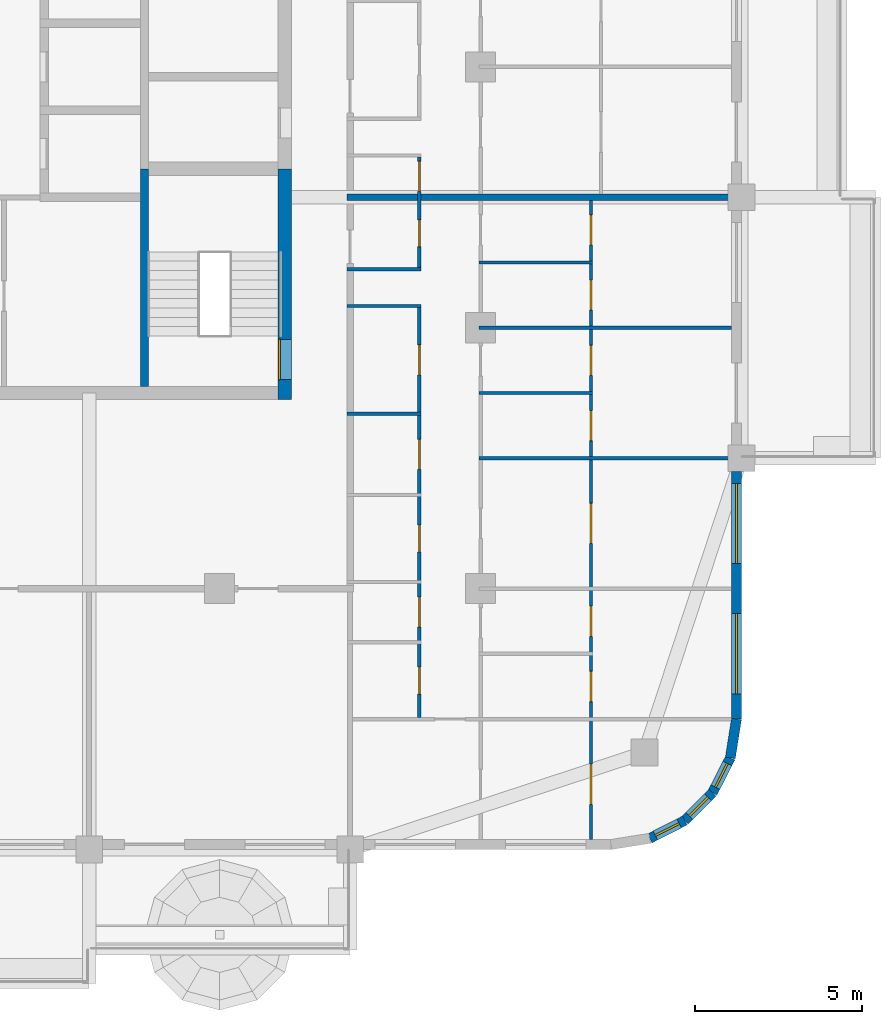
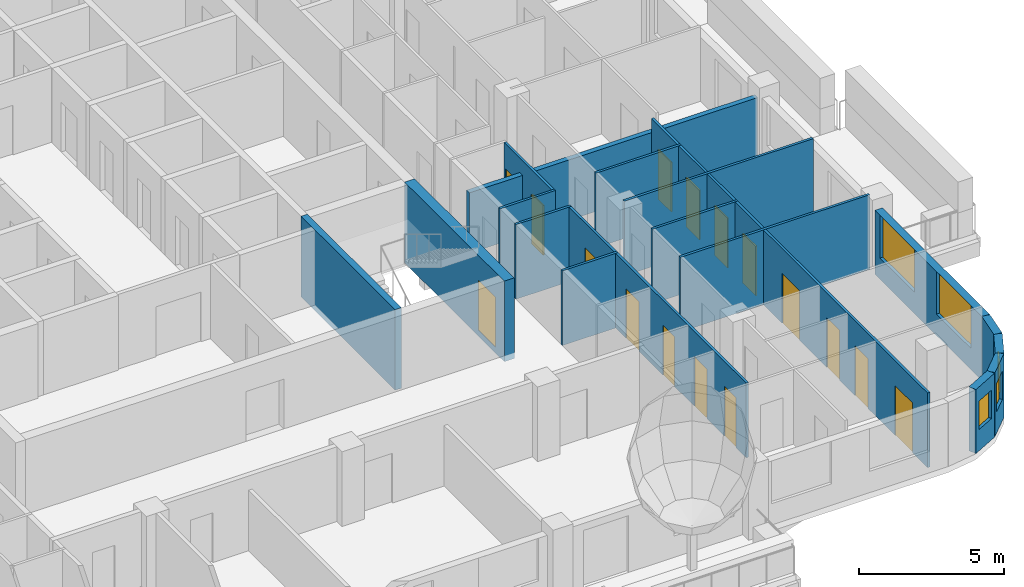
# One storey, part 6 of 17: 18 walls, 16 doors, 5 windows, 21 openings.
"""IFC4 building model written with IfcOpenShell, lengths in metres."""

from ifc_helpers import new_model, si_unit, direction, frame, frame_2d, origin, place, context, subcontext, project, spatial, rectangle, extrude, material, layer, layer_set, type_object, element, fill, save


model = new_model("IFC4")

# Units and contexts
model_context = context("Model", 3, precision=1e-05, world=origin(), true_north=direction((0.0, 1.0)))
body_context = subcontext(model_context, "Body", "Model", "MODEL_VIEW")
ifc_project = project(units=[si_unit("LENGTHUNIT", "METRE"), si_unit("AREAUNIT", "SQUARE_METRE"), si_unit("VOLUMEUNIT", "CUBIC_METRE"), si_unit("PLANEANGLEUNIT", "RADIAN"), si_unit("MASSUNIT", "GRAM", prefix="KILO")], contexts=[model_context])

# Site, building, storey
site_placement = place(None, origin())
site = spatial("IfcSite", under=ifc_project, at=site_placement, CompositionType="ELEMENT")
building_placement = place(site_placement, origin())
building = spatial("IfcBuilding", under=site, at=building_placement, Name="Ludao Terraces", CompositionType="ELEMENT")
storey_placement = place(building_placement, frame((0.0, 0.0, 210.89990234375)))
storey = spatial("IfcBuildingStorey", under=building, at=storey_placement, Name="L57", CompositionType="ELEMENT", Elevation=210.89990234375)

# Wall, opening, door
ifc_material_1 = material(Name="Concrete C50", Category="concrete")
ifc_layer_1 = layer(ifc_material_1, 0.39990234375)
ifc_layer_set_1 = layer_set([ifc_layer_1], Name="Core wall 400 C50")
wall_type_1 = type_object("IfcWallType", Name="Core wall 400 C50", PredefinedType="SOLIDWALL", material=ifc_layer_set_1)
wall_1_placement = place(storey_placement, frame((94.75, 55.050048828125, -0.25), z_axis=(0.0, 0.0, 1.0), x_axis=(0.0, 1.0, 0.0)))
wall_1 = element("IfcWall", 1, at=wall_1_placement, inside=storey, type_object=wall_type_1, Name="Core wall L57 outer-E-S3", PredefinedType="SOLIDWALL", context=body_context, shape_type="SweptSolid", body=[
    extrude(rectangle(XDim=6.89990234375, YDim=0.39990234375, at=frame_2d((3.449951171875, 0.0))), origin(), (0.0, 0.0, 1.0), 3.400146484375),
])
opening_1_placement = place(wall_1_placement, frame((0.60009765625, 0.0, 0.25)))
opening_1 = element("IfcOpeningElement", 2, at=opening_1_placement, cuts=wall_1, Name="Opening R20-037", PredefinedType="OPENING", context=body_context, shape_type="SweptSolid", body=[
    extrude(rectangle(XDim=1.199951171875, YDim=2.10009765625, at=frame_2d((0.60009765625, 1.050048828125))), frame((0.0, 0.2099609375, 0.0), z_axis=(0.0, -1.0, 0.0), x_axis=(1.0, 0.0, 0.0)), (0.0, 0.0, 1.0), 0.419921875),
])
ifc_material_2 = material(Name="Steel Q235", Category="steel")
door_type_1 = type_object("IfcDoorType", Name="INT Stair door 1200", OperationType="DOUBLE_DOOR_SINGLE_SWING", PredefinedType="DOOR", material=ifc_material_2)
door_1_placement = place(opening_1_placement, origin())
door_1 = element("IfcDoor", 3, at=door_1_placement, inside=storey, type_object=door_type_1, Name="DOOR 037", OperationType="DOUBLE_DOOR_SINGLE_SWING", OverallHeight=2.10009765625, OverallWidth=1.199951171875, PredefinedType="DOOR", context=body_context, shape_type="SweptSolid", body=[
    extrude(rectangle(XDim=1.199951171875, YDim=2.10009765625, at=frame_2d((0.60009765625, 1.050048828125))), frame((0.0, 0.18505859375, 0.0), z_axis=(0.0, -1.0, 0.0), x_axis=(1.0, 0.0, 0.0)), (0.0, 0.0, 1.0), 0.050048828125),
])
fill(opening_1, door_1)

# Wall, openings, windows
ifc_material_3 = material(Name="Granite cladding", Category="masonry")
ifc_layer_2 = layer(ifc_material_3, 0.0400390625, Category="stone")
ifc_material_4 = material(Name="Mineral wool")
ifc_layer_3 = layer(ifc_material_4, 0.06005859375)
ifc_material_5 = material(Name="Concrete C40", Category="concrete")
ifc_layer_4 = layer(ifc_material_5, 0.199951171875, Category="concrete")
ifc_layer_set_2 = layer_set([ifc_layer_2, ifc_layer_3, ifc_layer_4], Name="ENV Stone-clad wall 300")
wall_type_2 = type_object("IfcWallType", Name="ENV Stone-clad wall 300", PredefinedType="SOLIDWALL", material=ifc_layer_set_2)
wall_2_placement = place(storey_placement, frame((108.25, 45.5, 0.0), z_axis=(0.0, 0.0, 1.0), x_axis=(0.0, 1.0, 0.0)))
wall_2 = element("IfcWall", 4, at=wall_2_placement, inside=storey, type_object=wall_type_2, Name="EW-L57-E1", PredefinedType="SOLIDWALL", context=body_context, shape_type="SweptSolid", body=[
    extrude(rectangle(XDim=7.39990234375, YDim=0.300048828125, at=frame_2d((3.699951171875, 0.0))), origin(), (0.0, 0.0, 1.0), 2.7001953125),
])
opening_2_placement = place(wall_2_placement, frame((0.75, 0.0, 0.89990234375)))
opening_2 = element("IfcOpeningElement", 5, at=opening_2_placement, cuts=wall_2, Name="Opening W1", PredefinedType="OPENING", context=body_context, shape_type="SweptSolid", body=[
    extrude(rectangle(XDim=2.39990234375, YDim=1.800048828125, at=frame_2d((1.199951171875, 0.89990234375))), frame((0.0, 0.16015625, 0.0), z_axis=(0.0, -1.0, 0.0), x_axis=(1.0, 0.0, 0.0)), (0.0, 0.0, 1.0), 0.320068359375),
])
opening_3_placement = place(wall_2_placement, frame((4.64990234375, 0.0, 0.89990234375)))
opening_3 = element("IfcOpeningElement", 6, at=opening_3_placement, cuts=wall_2, Name="Opening W1", PredefinedType="OPENING", context=body_context, shape_type="SweptSolid", body=[
    extrude(rectangle(XDim=2.39990234375, YDim=1.800048828125, at=frame_2d((1.199951171875, 0.89990234375))), frame((0.0, 0.16015625, 0.0), z_axis=(0.0, -1.0, 0.0), x_axis=(1.0, 0.0, 0.0)), (0.0, 0.0, 1.0), 0.320068359375),
])
ifc_material_6 = material(Name="Clear glass in aluminium frame", Category="aluminium")
ifc_layer_5 = layer(ifc_material_6, 0.06005859375)
ifc_layer_set_3 = layer_set([ifc_layer_5], Name="ENV Window W1 2400x1800")
window_type_1 = type_object("IfcWindowType", Name="ENV Window W1 2400x1800", PartitioningType="DOUBLE_PANEL_VERTICAL", PredefinedType="WINDOW", material=ifc_layer_set_3)
window_1_placement = place(opening_2_placement, origin())
window_1 = element("IfcWindow", 7, at=window_1_placement, inside=storey, type_object=window_type_1, Name="W-L57-E1-1", OverallHeight=1.800048828125, OverallWidth=2.39990234375, PartitioningType="DOUBLE_PANEL_VERTICAL", PredefinedType="WINDOW", context=body_context, shape_type="SweptSolid", body=[
    extrude(rectangle(XDim=2.39990234375, YDim=1.800048828125, at=frame_2d((1.199951171875, 0.89990234375))), frame((0.0, 0.030029296875, 0.0), z_axis=(0.0, -1.0, 0.0), x_axis=(1.0, 0.0, 0.0)), (0.0, 0.0, 1.0), 0.06005859375),
])
fill(opening_2, window_1)
window_2_placement = place(opening_3_placement, origin())
window_2 = element("IfcWindow", 8, at=window_2_placement, inside=storey, type_object=window_type_1, Name="W-L57-E1-2", OverallHeight=1.800048828125, OverallWidth=2.39990234375, PartitioningType="DOUBLE_PANEL_VERTICAL", PredefinedType="WINDOW", context=body_context, shape_type="SweptSolid", body=[
    extrude(rectangle(XDim=2.39990234375, YDim=1.800048828125, at=frame_2d((1.199951171875, 0.89990234375))), frame((0.0, 0.030029296875, 0.0), z_axis=(0.0, -1.0, 0.0), x_axis=(1.0, 0.0, 0.0)), (0.0, 0.0, 1.0), 0.06005859375),
])
fill(opening_3, window_2)

# Wall, opening, window
wall_3_placement = place(storey_placement, frame((105.65869140625, 41.93359375, 0.0), z_axis=(0.0, 0.0, 1.0), x_axis=(0.890988677504, 0.454025524128, 0.0)))
wall_3 = element("IfcWall", 9, at=wall_3_placement, inside=storey, type_object=wall_type_2, Name="EW-L57-SE2", PredefinedType="SOLIDWALL", context=body_context, shape_type="SweptSolid", body=[
    extrude(rectangle(XDim=1.17333984375, YDim=0.300048828125, at=frame_2d((0.586669921875, 0.0))), origin(), (0.0, 0.0, 1.0), 2.7001953125),
])
opening_4_placement = place(wall_3_placement, frame((0.1865234375, 0.0, 0.89990234375)))
opening_4 = element("IfcOpeningElement", 10, at=opening_4_placement, cuts=wall_3, Name="Opening W3", PredefinedType="OPENING", context=body_context, shape_type="SweptSolid", body=[
    extrude(rectangle(XDim=0.800048828125, YDim=1.199951171875, at=frame_2d((0.39990234375, 0.60009765625))), frame((0.0, 0.16015625, 0.0), z_axis=(0.0, -1.0, 0.0), x_axis=(1.0, 0.0, 0.0)), (0.0, 0.0, 1.0), 0.320068359375),
])
ifc_layer_6 = layer(ifc_material_6, 0.06005859375)
ifc_layer_set_4 = layer_set([ifc_layer_6], Name="ENV Window W3 800x1200")
window_type_2 = type_object("IfcWindowType", Name="ENV Window W3 800x1200", PartitioningType="SINGLE_PANEL", PredefinedType="WINDOW", material=ifc_layer_set_4)
window_3_placement = place(opening_4_placement, origin())
window_3 = element("IfcWindow", 11, at=window_3_placement, inside=storey, type_object=window_type_2, Name="W-L57-SE2", OverallHeight=1.199951171875, OverallWidth=0.800048828125, PartitioningType="SINGLE_PANEL", PredefinedType="WINDOW", context=body_context, shape_type="SweptSolid", body=[
    extrude(rectangle(XDim=0.800048828125, YDim=1.199951171875, at=frame_2d((0.39990234375, 0.60009765625))), frame((0.0, 0.030029296875, 0.0), z_axis=(0.0, -1.0, 0.0), x_axis=(1.0, 0.0, 0.0)), (0.0, 0.0, 1.0), 0.06005859375),
])
fill(opening_4, window_3)

wall_4_placement = place(storey_placement, frame((106.7041015625, 42.46630859375, 0.0), z_axis=(0.0, 0.0, 1.0), x_axis=(0.707106781187, 0.707106781187, 0.0)))
wall_4 = element("IfcWall", 12, at=wall_4_placement, inside=storey, type_object=wall_type_2, Name="EW-L57-SE3", PredefinedType="SOLIDWALL", context=body_context, shape_type="SweptSolid", body=[
    extrude(rectangle(XDim=1.173095703125, YDim=0.300048828125, at=frame_2d((0.58642578125, 0.0))), origin(), (0.0, 0.0, 1.0), 2.7001953125),
])
opening_5_placement = place(wall_4_placement, frame((0.1865234375, 0.0, 0.89990234375)))
opening_5 = element("IfcOpeningElement", 13, at=opening_5_placement, cuts=wall_4, Name="Opening W3", PredefinedType="OPENING", context=body_context, shape_type="SweptSolid", body=[
    extrude(rectangle(XDim=0.800048828125, YDim=1.199951171875, at=frame_2d((0.39990234375, 0.60009765625))), frame((0.0, 0.16015625, 0.0), z_axis=(0.0, -1.0, 0.0), x_axis=(1.0, 0.0, 0.0)), (0.0, 0.0, 1.0), 0.320068359375),
])
window_4_placement = place(opening_5_placement, origin())
window_4 = element("IfcWindow", 14, at=window_4_placement, inside=storey, type_object=window_type_2, Name="W-L57-SE3", OverallHeight=1.199951171875, OverallWidth=0.800048828125, PartitioningType="SINGLE_PANEL", PredefinedType="WINDOW", context=body_context, shape_type="SweptSolid", body=[
    extrude(rectangle(XDim=0.800048828125, YDim=1.199951171875, at=frame_2d((0.39990234375, 0.60009765625))), frame((0.0, 0.030029296875, 0.0), z_axis=(0.0, -1.0, 0.0), x_axis=(1.0, 0.0, 0.0)), (0.0, 0.0, 1.0), 0.06005859375),
])
fill(opening_5, window_4)

wall_5_placement = place(storey_placement, frame((107.53369140625, 43.2958984375, 0.0), z_axis=(0.0, 0.0, 1.0), x_axis=(0.454025524128, 0.890988677504, 0.0)))
wall_5 = element("IfcWall", 15, at=wall_5_placement, inside=storey, type_object=wall_type_2, Name="EW-L57-SE4", PredefinedType="SOLIDWALL", context=body_context, shape_type="SweptSolid", body=[
    extrude(rectangle(XDim=1.17333984375, YDim=0.300048828125, at=frame_2d((0.586669921875, 0.0))), origin(), (0.0, 0.0, 1.0), 2.7001953125),
])
opening_6_placement = place(wall_5_placement, frame((0.1865234375, 0.0, 0.89990234375)))
opening_6 = element("IfcOpeningElement", 16, at=opening_6_placement, cuts=wall_5, Name="Opening W3", PredefinedType="OPENING", context=body_context, shape_type="SweptSolid", body=[
    extrude(rectangle(XDim=0.800048828125, YDim=1.199951171875, at=frame_2d((0.39990234375, 0.60009765625))), frame((0.0, 0.16015625, 0.0), z_axis=(0.0, -1.0, 0.0), x_axis=(1.0, 0.0, 0.0)), (0.0, 0.0, 1.0), 0.320068359375),
])
window_5_placement = place(opening_6_placement, origin())
window_5 = element("IfcWindow", 17, at=window_5_placement, inside=storey, type_object=window_type_2, Name="W-L57-SE4", OverallHeight=1.199951171875, OverallWidth=0.800048828125, PartitioningType="SINGLE_PANEL", PredefinedType="WINDOW", context=body_context, shape_type="SweptSolid", body=[
    extrude(rectangle(XDim=0.800048828125, YDim=1.199951171875, at=frame_2d((0.39990234375, 0.60009765625))), frame((0.0, 0.030029296875, 0.0), z_axis=(0.0, -1.0, 0.0), x_axis=(1.0, 0.0, 0.0)), (0.0, 0.0, 1.0), 0.06005859375),
])
fill(opening_6, window_5)

# Walls
wall_6_placement = place(storey_placement, frame((108.06640625, 44.34130859375, 0.0), z_axis=(0.0, 0.0, 1.0), x_axis=(0.156496880861, 0.987678452879, 0.0)))
element("IfcWall", 18, at=wall_6_placement, inside=storey, type_object=wall_type_2, Name="EW-L57-SE5", PredefinedType="SOLIDWALL", context=body_context, shape_type="SweptSolid", body=[
    extrude(rectangle(XDim=1.173095703125, YDim=0.300048828125, at=frame_2d((0.58642578125, 0.0))), origin(), (0.0, 0.0, 1.0), 2.7001953125),
])
ifc_material_7 = material(Name="Gypsum plasterboard", Category="gypsum")
ifc_layer_7 = layer(ifc_material_7, 0.012451171875, Category="gypsum")
ifc_layer_8 = layer(ifc_material_4, 0.06005859375, Name="insulation")
ifc_layer_9 = layer(ifc_material_2, 0.014892578125, Name="stud")
ifc_layer_10 = layer(ifc_material_7, 0.012451171875, Category="gypsum")
ifc_layer_set_5 = layer_set([ifc_layer_7, ifc_layer_8, ifc_layer_9, ifc_layer_10], Name="INT Partition 100")
wall_type_3 = type_object("IfcWallType", Name="INT Partition 100", PredefinedType="PARTITIONING", material=ifc_layer_set_5)
wall_7_placement = place(storey_placement, frame((100.550048828125, 53.300048828125, 0.0), z_axis=(0.0, 0.0, 1.0), x_axis=(1.0, 0.0, 0.0)))
element("IfcWall", 19, at=wall_7_placement, inside=storey, type_object=wall_type_3, Name="PW-L57-PW013", PredefinedType="PARTITIONING", context=body_context, shape_type="SweptSolid", body=[
    extrude(rectangle(XDim=7.550048828125, YDim=0.10009765625, at=frame_2d((3.77490234375, 0.0))), origin(), (0.0, 0.0, 1.0), 3.150146484375),
])
wall_8_placement = place(storey_placement, frame((96.60009765625, 54.6298828125, 0.0), z_axis=(0.0, 0.0, 1.0), x_axis=(1.0, 0.0, 0.0)))
element("IfcWall", 20, at=wall_8_placement, inside=storey, type_object=wall_type_3, Name="PW-L57-PW015", PredefinedType="PARTITIONING", context=body_context, shape_type="SweptSolid", body=[
    extrude(rectangle(XDim=2.219970703125, YDim=0.10009765625, at=frame_2d((1.10986328125, 0.0))), origin(), (0.0, 0.0, 1.0), 3.150146484375),
])
wall_9_placement = place(storey_placement, frame((100.550048828125, 55.25, 0.0), z_axis=(0.0, 0.0, 1.0), x_axis=(1.0, 0.0, 0.0)))
element("IfcWall", 21, at=wall_9_placement, inside=storey, type_object=wall_type_3, Name="PW-L57-PW017", PredefinedType="PARTITIONING", context=body_context, shape_type="SweptSolid", body=[
    extrude(rectangle(XDim=3.400146484375, YDim=0.10009765625, at=frame_2d((1.7001953125, 0.0))), origin(), (0.0, 0.0, 1.0), 3.150146484375),
])
wall_10_placement = place(storey_placement, frame((100.550048828125, 57.199951171875, 0.0), z_axis=(0.0, 0.0, 1.0), x_axis=(1.0, 0.0, 0.0)))
element("IfcWall", 22, at=wall_10_placement, inside=storey, type_object=wall_type_3, Name="PW-L57-PW020", PredefinedType="PARTITIONING", context=body_context, shape_type="SweptSolid", body=[
    extrude(rectangle(XDim=7.550048828125, YDim=0.10009765625, at=frame_2d((3.77490234375, 0.0))), origin(), (0.0, 0.0, 1.0), 3.150146484375),
])
for number, where, z_axis, x_axis, name in (
    (23, (96.60009765625, 57.85009765625, 0.0), (0.0, 0.0, 1.0), (1.0, 0.0, 0.0), "PW-L57-PW021"),
    (24, (96.60009765625, 58.949951171875, 0.0), (0.0, 0.0, 1.0), (1.0, 0.0, 0.0), "PW-L57-PW023"),
):
    element("IfcWall", number, at=place(storey_placement, frame(where, z_axis=z_axis, x_axis=x_axis)), inside=storey, type_object=wall_type_3, Name=name, PredefinedType="PARTITIONING", context=body_context, shape_type="SweptSolid", body=[
        extrude(rectangle(XDim=2.219970703125, YDim=0.10009765625, at=frame_2d((1.10986328125, 0.0))), origin(), (0.0, 0.0, 1.0), 3.150146484375),
    ])
wall_11_placement = place(storey_placement, frame((100.550048828125, 59.14990234375, 0.0), z_axis=(0.0, 0.0, 1.0), x_axis=(1.0, 0.0, 0.0)))
element("IfcWall", 25, at=wall_11_placement, inside=storey, type_object=wall_type_3, Name="PW-L57-PW025", PredefinedType="PARTITIONING", context=body_context, shape_type="SweptSolid", body=[
    extrude(rectangle(XDim=3.400146484375, YDim=0.10009765625, at=frame_2d((1.7001953125, 0.0))), origin(), (0.0, 0.0, 1.0), 3.150146484375),
])

# Wall, openings, doors
wall_12_placement = place(storey_placement, frame((98.77001953125, 45.550048828125, 0.0), z_axis=(0.0, 0.0, 1.0), x_axis=(0.0, 1.0, 0.0)))
wall_12 = element("IfcWall", 26, at=wall_12_placement, inside=storey, type_object=wall_type_3, Name="PW-L57-PW092", PredefinedType="PARTITIONING", context=body_context, shape_type="SweptSolid", body=[
    extrude(rectangle(XDim=12.25, YDim=0.10009765625, at=frame_2d((6.125, 0.0))), origin(), (0.0, 0.0, 1.0), 3.150146484375),
])
opening_7_placement = place(wall_12_placement, frame((0.699951171875, 0.0, 0.0)))
opening_7 = element("IfcOpeningElement", 27, at=opening_7_placement, cuts=wall_12, Name="Opening R20-008", PredefinedType="OPENING", context=body_context, shape_type="SweptSolid", body=[
    extrude(rectangle(XDim=0.800048828125, YDim=2.10009765625, at=frame_2d((0.39990234375, 1.050048828125))), frame((0.0, 0.06005859375, 0.0), z_axis=(0.0, -1.0, 0.0), x_axis=(1.0, 0.0, 0.0)), (0.0, 0.0, 1.0), 0.1201171875),
])
opening_8_placement = place(wall_12_placement, frame((2.699951171875, 0.0, 0.0)))
opening_8 = element("IfcOpeningElement", 28, at=opening_8_placement, cuts=wall_12, Name="Opening R20-014", PredefinedType="OPENING", context=body_context, shape_type="SweptSolid", body=[
    extrude(rectangle(XDim=0.89990234375, YDim=2.10009765625, at=frame_2d((0.449951171875, 1.050048828125))), frame((0.0, 0.06005859375, 0.0), z_axis=(0.0, -1.0, 0.0), x_axis=(1.0, 0.0, 0.0)), (0.0, 0.0, 1.0), 0.1201171875),
])
opening_9_placement = place(wall_12_placement, frame((4.949951171875, 0.0, 0.0)))
opening_9 = element("IfcOpeningElement", 29, at=opening_9_placement, cuts=wall_12, Name="Opening R20-021", PredefinedType="OPENING", context=body_context, shape_type="SweptSolid", body=[
    extrude(rectangle(XDim=0.800048828125, YDim=2.10009765625, at=frame_2d((0.39990234375, 1.050048828125))), frame((0.0, 0.06005859375, 0.0), z_axis=(0.0, -1.0, 0.0), x_axis=(1.0, 0.0, 0.0)), (0.0, 0.0, 1.0), 0.1201171875),
])
opening_10_placement = place(wall_12_placement, frame((7.4150390625, 0.0, 0.0)))
opening_10 = element("IfcOpeningElement", 30, at=opening_10_placement, cuts=wall_12, Name="Opening R20-028", PredefinedType="OPENING", context=body_context, shape_type="SweptSolid", body=[
    extrude(rectangle(XDim=0.89990234375, YDim=2.10009765625, at=frame_2d((0.449951171875, 1.050048828125))), frame((0.0, 0.06005859375, 0.0), z_axis=(0.0, -1.0, 0.0), x_axis=(1.0, 0.0, 0.0)), (0.0, 0.0, 1.0), 0.1201171875),
])
opening_11_placement = place(wall_12_placement, frame((10.239990234375, 0.0, 0.0)))
opening_11 = element("IfcOpeningElement", 31, at=opening_11_placement, cuts=wall_12, Name="Opening R20-036", PredefinedType="OPENING", context=body_context, shape_type="SweptSolid", body=[
    extrude(rectangle(XDim=0.89990234375, YDim=2.10009765625, at=frame_2d((0.449951171875, 1.050048828125))), frame((0.0, 0.06005859375, 0.0), z_axis=(0.0, -1.0, 0.0), x_axis=(1.0, 0.0, 0.0)), (0.0, 0.0, 1.0), 0.1201171875),
])
ifc_material_8 = material(Name="Timber door leaf", Category="wood")
door_type_2 = type_object("IfcDoorType", Name="INT Bathroom door 900", OperationType="SINGLE_SWING_LEFT", PredefinedType="DOOR", material=ifc_material_8)
door_2_placement = place(opening_8_placement, origin())
door_2 = element("IfcDoor", 32, at=door_2_placement, inside=storey, type_object=door_type_2, Name="DOOR 014", OperationType="SINGLE_SWING_RIGHT", OverallHeight=2.10009765625, OverallWidth=0.89990234375, PredefinedType="DOOR", context=body_context, shape_type="SweptSolid", body=[
    extrude(rectangle(XDim=0.89990234375, YDim=2.10009765625, at=frame_2d((0.449951171875, 1.050048828125))), frame((0.0, 0.02490234375, 0.0), z_axis=(0.0, -1.0, 0.0), x_axis=(1.0, 0.0, 0.0)), (0.0, 0.0, 1.0), 0.050048828125),
])
fill(opening_8, door_2)
door_3_placement = place(opening_10_placement, origin())
door_3 = element("IfcDoor", 33, at=door_3_placement, inside=storey, type_object=door_type_2, Name="DOOR 028", OperationType="SINGLE_SWING_LEFT", OverallHeight=2.10009765625, OverallWidth=0.89990234375, PredefinedType="DOOR", context=body_context, shape_type="SweptSolid", body=[
    extrude(rectangle(XDim=0.89990234375, YDim=2.10009765625, at=frame_2d((0.449951171875, 1.050048828125))), frame((0.0, 0.02490234375, 0.0), z_axis=(0.0, -1.0, 0.0), x_axis=(1.0, 0.0, 0.0)), (0.0, 0.0, 1.0), 0.050048828125),
])
fill(opening_10, door_3)
door_type_3 = type_object("IfcDoorType", Name="INT Room door 900", OperationType="SINGLE_SWING_LEFT", PredefinedType="DOOR", material=ifc_material_8)
door_4_placement = place(opening_11_placement, origin())
door_4 = element("IfcDoor", 34, at=door_4_placement, inside=storey, type_object=door_type_3, Name="DOOR 036", OperationType="SINGLE_SWING_LEFT", OverallHeight=2.10009765625, OverallWidth=0.89990234375, PredefinedType="DOOR", context=body_context, shape_type="SweptSolid", body=[
    extrude(rectangle(XDim=0.89990234375, YDim=2.10009765625, at=frame_2d((0.449951171875, 1.050048828125))), frame((0.0, 0.02490234375, 0.0), z_axis=(0.0, -1.0, 0.0), x_axis=(1.0, 0.0, 0.0)), (0.0, 0.0, 1.0), 0.050048828125),
])
fill(opening_11, door_4)
door_type_4 = type_object("IfcDoorType", Name="INT Store door 800", OperationType="SINGLE_SWING_LEFT", PredefinedType="DOOR", material=ifc_material_8)
door_5_placement = place(opening_7_placement, origin())
door_5 = element("IfcDoor", 35, at=door_5_placement, inside=storey, type_object=door_type_4, Name="DOOR 008", OperationType="SINGLE_SWING_RIGHT", OverallHeight=2.10009765625, OverallWidth=0.800048828125, PredefinedType="DOOR", context=body_context, shape_type="SweptSolid", body=[
    extrude(rectangle(XDim=0.800048828125, YDim=2.10009765625, at=frame_2d((0.39990234375, 1.050048828125))), frame((0.0, 0.02490234375, 0.0), z_axis=(0.0, -1.0, 0.0), x_axis=(1.0, 0.0, 0.0)), (0.0, 0.0, 1.0), 0.050048828125),
])
fill(opening_7, door_5)
door_6_placement = place(opening_9_placement, origin())
door_6 = element("IfcDoor", 36, at=door_6_placement, inside=storey, type_object=door_type_4, Name="DOOR 021", OperationType="SINGLE_SWING_LEFT", OverallHeight=2.10009765625, OverallWidth=0.800048828125, PredefinedType="DOOR", context=body_context, shape_type="SweptSolid", body=[
    extrude(rectangle(XDim=0.800048828125, YDim=2.10009765625, at=frame_2d((0.39990234375, 1.050048828125))), frame((0.0, 0.02490234375, 0.0), z_axis=(0.0, -1.0, 0.0), x_axis=(1.0, 0.0, 0.0)), (0.0, 0.0, 1.0), 0.050048828125),
])
fill(opening_9, door_6)

wall_13_placement = place(storey_placement, frame((98.77001953125, 59.0, 0.0), z_axis=(0.0, 0.0, 1.0), x_axis=(0.0, 1.0, 0.0)))
wall_13 = element("IfcWall", 37, at=wall_13_placement, inside=storey, type_object=wall_type_3, Name="PW-L57-PW093", PredefinedType="PARTITIONING", context=body_context, shape_type="SweptSolid", body=[
    extrude(rectangle(XDim=3.300048828125, YDim=0.10009765625, at=frame_2d((1.64990234375, 0.0))), origin(), (0.0, 0.0, 1.0), 3.150146484375),
])
opening_12_placement = place(wall_13_placement, frame((0.625, 0.0, 0.0)))
opening_12 = element("IfcOpeningElement", 38, at=opening_12_placement, cuts=wall_13, Name="Opening R20-044", PredefinedType="OPENING", context=body_context, shape_type="SweptSolid", body=[
    extrude(rectangle(XDim=0.800048828125, YDim=2.10009765625, at=frame_2d((0.39990234375, 1.050048828125))), frame((0.0, 0.06005859375, 0.0), z_axis=(0.0, -1.0, 0.0), x_axis=(1.0, 0.0, 0.0)), (0.0, 0.0, 1.0), 0.1201171875),
])
opening_13_placement = place(wall_13_placement, frame((2.275146484375, 0.0, 0.0)))
opening_13 = element("IfcOpeningElement", 39, at=opening_13_placement, cuts=wall_13, Name="Opening R20-050", PredefinedType="OPENING", context=body_context, shape_type="SweptSolid", body=[
    extrude(rectangle(XDim=0.89990234375, YDim=2.10009765625, at=frame_2d((0.449951171875, 1.050048828125))), frame((0.0, 0.06005859375, 0.0), z_axis=(0.0, -1.0, 0.0), x_axis=(1.0, 0.0, 0.0)), (0.0, 0.0, 1.0), 0.1201171875),
])
door_7_placement = place(opening_13_placement, origin())
door_7 = element("IfcDoor", 40, at=door_7_placement, inside=storey, type_object=door_type_2, Name="DOOR 050", OperationType="SINGLE_SWING_LEFT", OverallHeight=2.10009765625, OverallWidth=0.89990234375, PredefinedType="DOOR", context=body_context, shape_type="SweptSolid", body=[
    extrude(rectangle(XDim=0.89990234375, YDim=2.10009765625, at=frame_2d((0.449951171875, 1.050048828125))), frame((0.0, 0.02490234375, 0.0), z_axis=(0.0, -1.0, 0.0), x_axis=(1.0, 0.0, 0.0)), (0.0, 0.0, 1.0), 0.050048828125),
])
fill(opening_13, door_7)
door_8_placement = place(opening_12_placement, origin())
door_8 = element("IfcDoor", 41, at=door_8_placement, inside=storey, type_object=door_type_4, Name="DOOR 044", OperationType="SINGLE_SWING_RIGHT", OverallHeight=2.10009765625, OverallWidth=0.800048828125, PredefinedType="DOOR", context=body_context, shape_type="SweptSolid", body=[
    extrude(rectangle(XDim=0.800048828125, YDim=2.10009765625, at=frame_2d((0.39990234375, 1.050048828125))), frame((0.0, 0.02490234375, 0.0), z_axis=(0.0, -1.0, 0.0), x_axis=(1.0, 0.0, 0.0)), (0.0, 0.0, 1.0), 0.050048828125),
])
fill(opening_12, door_8)

wall_14_placement = place(storey_placement, frame((103.89990234375, 41.900146484375, 0.0), z_axis=(0.0, 0.0, 1.0), x_axis=(0.0, 1.0, 0.0)))
wall_14 = element("IfcWall", 42, at=wall_14_placement, inside=storey, type_object=wall_type_3, Name="PW-L57-PW097", PredefinedType="PARTITIONING", context=body_context, shape_type="SweptSolid", body=[
    extrude(rectangle(XDim=19.099853515625, YDim=0.10009765625, at=frame_2d((9.5498046875, 0.0))), origin(), (0.0, 0.0, 1.0), 3.150146484375),
])
opening_14_placement = place(wall_14_placement, frame((1.050048828125, 0.0, 0.0)))
opening_14 = element("IfcOpeningElement", 43, at=opening_14_placement, cuts=wall_14, Name="Opening R20-004", PredefinedType="OPENING", context=body_context, shape_type="SweptSolid", body=[
    extrude(rectangle(XDim=1.199951171875, YDim=2.10009765625, at=frame_2d((0.60009765625, 1.050048828125))), frame((0.0, 0.06005859375, 0.0), z_axis=(0.0, -1.0, 0.0), x_axis=(1.0, 0.0, 0.0)), (0.0, 0.0, 1.0), 0.1201171875),
])
opening_15_placement = place(wall_14_placement, frame((4.125, 0.0, 0.0)))
opening_15 = element("IfcOpeningElement", 44, at=opening_15_placement, cuts=wall_14, Name="Opening R20-007", PredefinedType="OPENING", context=body_context, shape_type="SweptSolid", body=[
    extrude(rectangle(XDim=0.89990234375, YDim=2.10009765625, at=frame_2d((0.449951171875, 1.050048828125))), frame((0.0, 0.06005859375, 0.0), z_axis=(0.0, -1.0, 0.0), x_axis=(1.0, 0.0, 0.0)), (0.0, 0.0, 1.0), 0.1201171875),
])
opening_16_placement = place(wall_14_placement, frame((6.074951171875, 0.0, 0.0)))
opening_16 = element("IfcOpeningElement", 45, at=opening_16_placement, cuts=wall_14, Name="Opening R20-013", PredefinedType="OPENING", context=body_context, shape_type="SweptSolid", body=[
    extrude(rectangle(XDim=0.89990234375, YDim=2.10009765625, at=frame_2d((0.449951171875, 1.050048828125))), frame((0.0, 0.06005859375, 0.0), z_axis=(0.0, -1.0, 0.0), x_axis=(1.0, 0.0, 0.0)), (0.0, 0.0, 1.0), 0.1201171875),
])
opening_17_placement = place(wall_14_placement, frame((8.85009765625, 0.0, 0.0)))
opening_17 = element("IfcOpeningElement", 46, at=opening_17_placement, cuts=wall_14, Name="Opening R20-023", PredefinedType="OPENING", context=body_context, shape_type="SweptSolid", body=[
    extrude(rectangle(XDim=1.199951171875, YDim=2.10009765625, at=frame_2d((0.60009765625, 1.050048828125))), frame((0.0, 0.06005859375, 0.0), z_axis=(0.0, -1.0, 0.0), x_axis=(1.0, 0.0, 0.0)), (0.0, 0.0, 1.0), 0.1201171875),
])
opening_18_placement = place(wall_14_placement, frame((11.925048828125, 0.0, 0.0)))
opening_18 = element("IfcOpeningElement", 47, at=opening_18_placement, cuts=wall_14, Name="Opening R20-029", PredefinedType="OPENING", context=body_context, shape_type="SweptSolid", body=[
    extrude(rectangle(XDim=0.89990234375, YDim=2.10009765625, at=frame_2d((0.449951171875, 1.050048828125))), frame((0.0, 0.06005859375, 0.0), z_axis=(0.0, -1.0, 0.0), x_axis=(1.0, 0.0, 0.0)), (0.0, 0.0, 1.0), 0.1201171875),
])
opening_19_placement = place(wall_14_placement, frame((13.875, 0.0, 0.0)))
opening_19 = element("IfcOpeningElement", 48, at=opening_19_placement, cuts=wall_14, Name="Opening R20-035", PredefinedType="OPENING", context=body_context, shape_type="SweptSolid", body=[
    extrude(rectangle(XDim=0.89990234375, YDim=2.10009765625, at=frame_2d((0.449951171875, 1.050048828125))), frame((0.0, 0.06005859375, 0.0), z_axis=(0.0, -1.0, 0.0), x_axis=(1.0, 0.0, 0.0)), (0.0, 0.0, 1.0), 0.1201171875),
])
opening_20_placement = place(wall_14_placement, frame((15.824951171875, 0.0, 0.0)))
opening_20 = element("IfcOpeningElement", 49, at=opening_20_placement, cuts=wall_14, Name="Opening R20-041", PredefinedType="OPENING", context=body_context, shape_type="SweptSolid", body=[
    extrude(rectangle(XDim=0.89990234375, YDim=2.10009765625, at=frame_2d((0.449951171875, 1.050048828125))), frame((0.0, 0.06005859375, 0.0), z_axis=(0.0, -1.0, 0.0), x_axis=(1.0, 0.0, 0.0)), (0.0, 0.0, 1.0), 0.1201171875),
])
opening_21_placement = place(wall_14_placement, frame((17.77490234375, 0.0, 0.0)))
opening_21 = element("IfcOpeningElement", 50, at=opening_21_placement, cuts=wall_14, Name="Opening R20-048", PredefinedType="OPENING", context=body_context, shape_type="SweptSolid", body=[
    extrude(rectangle(XDim=0.89990234375, YDim=2.10009765625, at=frame_2d((0.449951171875, 1.050048828125))), frame((0.0, 0.06005859375, 0.0), z_axis=(0.0, -1.0, 0.0), x_axis=(1.0, 0.0, 0.0)), (0.0, 0.0, 1.0), 0.1201171875),
])
door_9_placement = place(opening_15_placement, origin())
door_9 = element("IfcDoor", 51, at=door_9_placement, inside=storey, type_object=door_type_2, Name="DOOR 007", OperationType="SINGLE_SWING_RIGHT", OverallHeight=2.10009765625, OverallWidth=0.89990234375, PredefinedType="DOOR", context=body_context, shape_type="SweptSolid", body=[
    extrude(rectangle(XDim=0.89990234375, YDim=2.10009765625, at=frame_2d((0.449951171875, 1.050048828125))), frame((0.0, 0.02490234375, 0.0), z_axis=(0.0, -1.0, 0.0), x_axis=(1.0, 0.0, 0.0)), (0.0, 0.0, 1.0), 0.050048828125),
])
fill(opening_15, door_9)
door_10_placement = place(opening_18_placement, origin())
door_10 = element("IfcDoor", 52, at=door_10_placement, inside=storey, type_object=door_type_2, Name="DOOR 029", OperationType="SINGLE_SWING_LEFT", OverallHeight=2.10009765625, OverallWidth=0.89990234375, PredefinedType="DOOR", context=body_context, shape_type="SweptSolid", body=[
    extrude(rectangle(XDim=0.89990234375, YDim=2.10009765625, at=frame_2d((0.449951171875, 1.050048828125))), frame((0.0, 0.02490234375, 0.0), z_axis=(0.0, -1.0, 0.0), x_axis=(1.0, 0.0, 0.0)), (0.0, 0.0, 1.0), 0.050048828125),
])
fill(opening_18, door_10)
door_11_placement = place(opening_20_placement, origin())
door_11 = element("IfcDoor", 53, at=door_11_placement, inside=storey, type_object=door_type_2, Name="DOOR 041", OperationType="SINGLE_SWING_LEFT", OverallHeight=2.10009765625, OverallWidth=0.89990234375, PredefinedType="DOOR", context=body_context, shape_type="SweptSolid", body=[
    extrude(rectangle(XDim=0.89990234375, YDim=2.10009765625, at=frame_2d((0.449951171875, 1.050048828125))), frame((0.0, 0.02490234375, 0.0), z_axis=(0.0, -1.0, 0.0), x_axis=(1.0, 0.0, 0.0)), (0.0, 0.0, 1.0), 0.050048828125),
])
fill(opening_20, door_11)
door_type_5 = type_object("IfcDoorType", Name="INT Double door 1200", OperationType="DOUBLE_DOOR_SINGLE_SWING", PredefinedType="DOOR", material=ifc_material_8)
door_12_placement = place(opening_14_placement, origin())
door_12 = element("IfcDoor", 54, at=door_12_placement, inside=storey, type_object=door_type_5, Name="DOOR 004", OperationType="DOUBLE_DOOR_SINGLE_SWING", OverallHeight=2.10009765625, OverallWidth=1.199951171875, PredefinedType="DOOR", context=body_context, shape_type="SweptSolid", body=[
    extrude(rectangle(XDim=1.199951171875, YDim=2.10009765625, at=frame_2d((0.60009765625, 1.050048828125))), frame((0.0, 0.02490234375, 0.0), z_axis=(0.0, -1.0, 0.0), x_axis=(1.0, 0.0, 0.0)), (0.0, 0.0, 1.0), 0.050048828125),
])
fill(opening_14, door_12)
door_13_placement = place(opening_17_placement, origin())
door_13 = element("IfcDoor", 55, at=door_13_placement, inside=storey, type_object=door_type_5, Name="DOOR 023", OperationType="DOUBLE_DOOR_SINGLE_SWING", OverallHeight=2.10009765625, OverallWidth=1.199951171875, PredefinedType="DOOR", context=body_context, shape_type="SweptSolid", body=[
    extrude(rectangle(XDim=1.199951171875, YDim=2.10009765625, at=frame_2d((0.60009765625, 1.050048828125))), frame((0.0, 0.02490234375, 0.0), z_axis=(0.0, -1.0, 0.0), x_axis=(1.0, 0.0, 0.0)), (0.0, 0.0, 1.0), 0.050048828125),
])
fill(opening_17, door_13)
door_14_placement = place(opening_16_placement, origin())
door_14 = element("IfcDoor", 56, at=door_14_placement, inside=storey, type_object=door_type_3, Name="DOOR 013", OperationType="SINGLE_SWING_LEFT", OverallHeight=2.10009765625, OverallWidth=0.89990234375, PredefinedType="DOOR", context=body_context, shape_type="SweptSolid", body=[
    extrude(rectangle(XDim=0.89990234375, YDim=2.10009765625, at=frame_2d((0.449951171875, 1.050048828125))), frame((0.0, 0.02490234375, 0.0), z_axis=(0.0, -1.0, 0.0), x_axis=(1.0, 0.0, 0.0)), (0.0, 0.0, 1.0), 0.050048828125),
])
fill(opening_16, door_14)
door_15_placement = place(opening_19_placement, origin())
door_15 = element("IfcDoor", 57, at=door_15_placement, inside=storey, type_object=door_type_3, Name="DOOR 035", OperationType="SINGLE_SWING_RIGHT", OverallHeight=2.10009765625, OverallWidth=0.89990234375, PredefinedType="DOOR", context=body_context, shape_type="SweptSolid", body=[
    extrude(rectangle(XDim=0.89990234375, YDim=2.10009765625, at=frame_2d((0.449951171875, 1.050048828125))), frame((0.0, 0.02490234375, 0.0), z_axis=(0.0, -1.0, 0.0), x_axis=(1.0, 0.0, 0.0)), (0.0, 0.0, 1.0), 0.050048828125),
])
fill(opening_19, door_15)
door_16_placement = place(opening_21_placement, origin())
door_16 = element("IfcDoor", 58, at=door_16_placement, inside=storey, type_object=door_type_3, Name="DOOR 048", OperationType="SINGLE_SWING_LEFT", OverallHeight=2.10009765625, OverallWidth=0.89990234375, PredefinedType="DOOR", context=body_context, shape_type="SweptSolid", body=[
    extrude(rectangle(XDim=0.89990234375, YDim=2.10009765625, at=frame_2d((0.449951171875, 1.050048828125))), frame((0.0, 0.02490234375, 0.0), z_axis=(0.0, -1.0, 0.0), x_axis=(1.0, 0.0, 0.0)), (0.0, 0.0, 1.0), 0.050048828125),
])
fill(opening_21, door_16)

# Walls
ifc_material_9 = material(Name="Autoclaved aerated concrete block B06 A3.5", Category="concrete")
ifc_layer_11 = layer(ifc_material_9, 0.199951171875)
ifc_layer_set_6 = layer_set([ifc_layer_11], Name="INT Party wall 200")
wall_type_4 = type_object("IfcWallType", Name="INT Party wall 200", PredefinedType="PARTITIONING", material=ifc_layer_set_6)
wall_15_placement = place(storey_placement, frame((96.60009765625, 61.10009765625, 0.0), z_axis=(0.0, 0.0, 1.0), x_axis=(1.0, 0.0, 0.0)))
element("IfcWall", 59, at=wall_15_placement, inside=storey, type_object=wall_type_4, Name="PW-L57-PW028", PredefinedType="PARTITIONING", context=body_context, shape_type="SweptSolid", body=[
    extrude(rectangle(XDim=11.5, YDim=0.199951171875, at=frame_2d((5.75, 0.0))), origin(), (0.0, 0.0, 1.0), 2.550048828125),
])
ifc_layer_12 = layer(ifc_material_1, 0.25)
ifc_layer_set_7 = layer_set([ifc_layer_12], Name="Shaft wall 250 C50")
wall_type_5 = type_object("IfcWallType", Name="Shaft wall 250 C50", PredefinedType="SOLIDWALL", material=ifc_layer_set_7)
wall_16_placement = place(storey_placement, frame((90.550048828125, 55.449951171875, -0.25), z_axis=(0.0, 0.0, 1.0), x_axis=(0.0, 1.0, 0.0)))
element("IfcWall", 60, at=wall_16_placement, inside=storey, type_object=wall_type_5, Name="Core wall L57 back-E-S3", PredefinedType="SOLIDWALL", context=body_context, shape_type="SweptSolid", body=[
    extrude(rectangle(XDim=6.5, YDim=0.25, at=frame_2d((3.25, 0.0))), origin(), (0.0, 0.0, 1.0), 3.400146484375),
])

save(model, "model.ifc")
